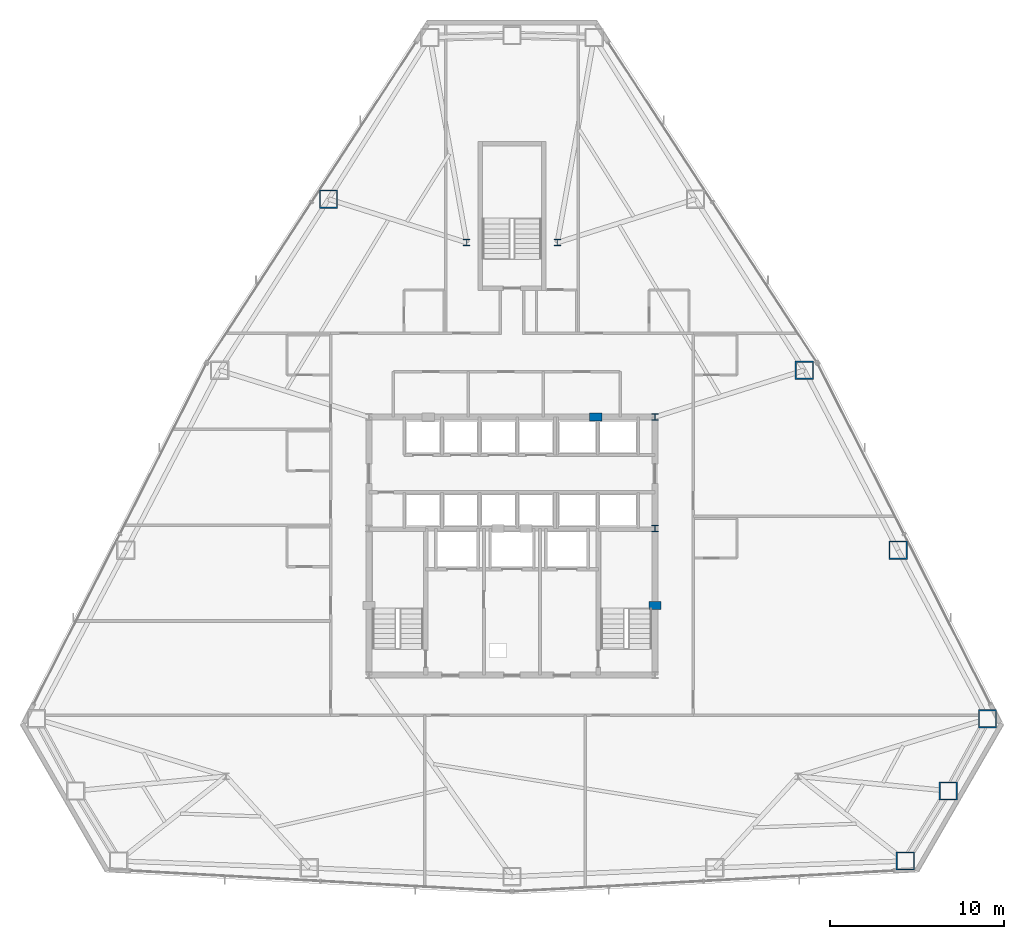
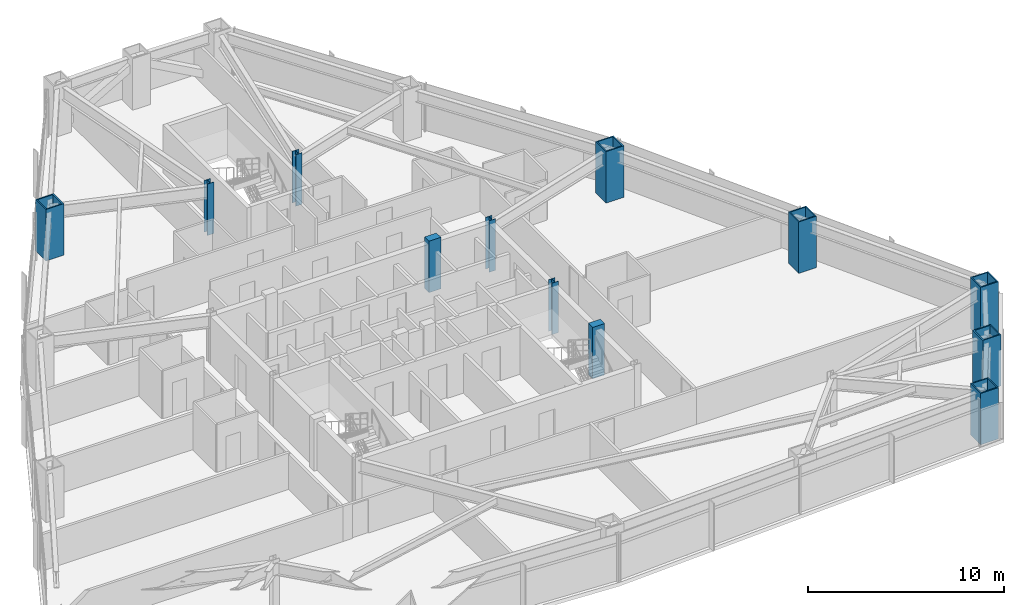
# One storey, part 2 of 12: 12 columns.
"""IFC4 building model written with IfcOpenShell, lengths in metres."""

from ifc_helpers import new_model, si_unit, direction, frame, origin, origin_2d, place, context, subcontext, project, spatial, rectangle, hollow_rectangle, i_section, extrude, material, material_profile, profile_set, type_object, element, save


model = new_model("IFC4")

# Units and contexts
model_context = context("Model", 3, precision=1e-05, world=origin(), true_north=direction((0.0, 1.0)))
body_context = subcontext(model_context, "Body", "Model", "MODEL_VIEW")
ifc_project = project(units=[si_unit("LENGTHUNIT", "METRE"), si_unit("AREAUNIT", "SQUARE_METRE"), si_unit("VOLUMEUNIT", "CUBIC_METRE"), si_unit("PLANEANGLEUNIT", "RADIAN"), si_unit("MASSUNIT", "GRAM", prefix="KILO")], contexts=[model_context])

# Site, building, storey
site_placement = place(None, origin())
site = spatial("IfcSite", under=ifc_project, at=site_placement, CompositionType="ELEMENT")
building_placement = place(site_placement, origin())
building = spatial("IfcBuilding", under=site, at=building_placement, Name="Varakhsha Concourse Tower", CompositionType="ELEMENT")
storey_placement = place(building_placement, frame((0.0, 0.0, 79.800048828125)))
storey = spatial("IfcBuildingStorey", under=building, at=storey_placement, Name="L22", CompositionType="ELEMENT", Elevation=79.800048828125)

# Columns
ifc_material_1 = material(Name="Structural Steel ASTM A992 Grade 50", Category="steel")
ifc_material_profile_1 = material_profile(ifc_material_1, i_section(OverallWidth=0.3740234375, OverallDepth=0.3720703125, WebThickness=0.01611328125, FlangeThickness=0.02587890625, at=origin_2d()), Name="W14X132")
ifc_profile_set_1 = profile_set([ifc_material_profile_1], Name="Structural Steel ASTM A992 Grade 50")
column_type_1 = type_object("IfcColumnType", Name="CL-CORE-W14X132", PredefinedType="COLUMN", material=ifc_profile_set_1)
for number, where, z_axis, x_axis, name in (
    (1, (48.199951171875, 24.800048828125, 0.0), (0.0, 0.0, 1.0), (1.0, 0.0, 0.0), "L22 Core Column CC-ME"),
    (2, (48.199951171875, 31.199951171875, 0.0), (0.0, 0.0, 1.0), (1.0, 0.0, 0.0), "L22 Core Column CC-NE"),
    (3, (37.39990234375, 41.199951171875, 0.0), (0.0, 0.0, 1.0), (1.0, 0.0, 0.0), "L22 Core Column NS-W"),
    (4, (42.60009765625, 41.199951171875, 0.0), (0.0, 0.0, 1.0), (1.0, 0.0, 0.0), "L22 Core Column NS-E"),
):
    element("IfcColumn", number, at=place(storey_placement, frame(where, z_axis=z_axis, x_axis=x_axis)), inside=storey, type_object=column_type_1, Name=name, PredefinedType="COLUMN", context=body_context, shape_type="SweptSolid", body=[
        extrude(i_section(OverallWidth=0.3740234375, OverallDepth=0.3720703125, WebThickness=0.01611328125, FlangeThickness=0.02587890625, at=origin_2d()), origin(), (0.0, 0.0, 1.0), 3.199951171875),
    ])
ifc_material_2 = material(Name="Concrete fc 65 MPa", Category="concrete")
ifc_material_profile_2 = material_profile(ifc_material_2, rectangle(XDim=0.699951171875, YDim=0.449951171875, at=origin_2d()), Name="RC 700x450")
ifc_profile_set_2 = profile_set([ifc_material_profile_2], Name="Concrete fc 65 MPa")
column_type_2 = type_object("IfcColumnType", Name="CL-PIL-700X450", PredefinedType="PILASTER", material=ifc_profile_set_2)
for number, where, z_axis, x_axis, name in (
    (5, (48.199951171875, 20.39990234375, 0.0), (0.0, 0.0, 1.0), (1.0, 0.0, 0.0), "L22 Core Boundary Pilaster PIL-E1"),
    (6, (44.800048828125, 31.199951171875, 0.0), (0.0, 0.0, 1.0), (1.0, 0.0, 0.0), "L22 Core Boundary Pilaster PIL-N2"),
):
    element("IfcColumn", number, at=place(storey_placement, frame(where, z_axis=z_axis, x_axis=x_axis)), inside=storey, type_object=column_type_2, Name=name, PredefinedType="PILASTER", context=body_context, shape_type="SweptSolid", body=[
        extrude(rectangle(XDim=0.699951171875, YDim=0.449951171875, at=origin_2d()), origin(), (0.0, 0.0, 1.0), 3.199951171875),
    ])
ifc_material_3 = material(Name="Structural Steel ASTM A572 Grade 50", Category="steel")
ifc_material_profile_3 = material_profile(ifc_material_3, hollow_rectangle(XDim=1.050048828125, YDim=1.050048828125, WallThickness=0.070068359375, at=origin_2d()), Name="BOX 1050x1050x70")
ifc_profile_set_3 = profile_set([ifc_material_profile_3], Name="Structural Steel ASTM A572 Grade 50")
column_type_3 = type_object("IfcColumnType", Name="CL-TUBE-1050", PredefinedType="COLUMN", material=ifc_profile_set_3)
for number, where, z_axis, x_axis, name in (
    (7, (29.481689453125, 43.6923828125, 0.0), (0.0, 0.0, 1.0), (1.0, 0.0, 0.0), "L22 Framed-Tube Column TC04"),
    (8, (62.55615234375, 5.740966796875, 0.0), (0.0, 0.0, 1.0), (1.0, 0.0, 0.0), "L22 Framed-Tube Column TC13"),
    (9, (65.012939453125, 9.7587890625, 0.0), (0.0, 0.0, 1.0), (1.0, 0.0, 0.0), "L22 Framed-Tube Column TC14"),
    (10, (67.26416015625, 13.8955078125, 0.0), (0.0, 0.0, 1.0), (1.0, 0.0, 0.0), "L22 Framed-Tube Column TC15"),
    (11, (62.14013671875, 23.562744140625, 0.0), (0.0, 0.0, 1.0), (1.0, 0.0, 0.0), "L22 Framed-Tube Column TC16"),
    (12, (56.762939453125, 33.878173828125, 0.0), (0.0, 0.0, 1.0), (1.0, 0.0, 0.0), "L22 Framed-Tube Column TC17"),
):
    element("IfcColumn", number, at=place(storey_placement, frame(where, z_axis=z_axis, x_axis=x_axis)), inside=storey, type_object=column_type_3, Name=name, PredefinedType="COLUMN", context=body_context, shape_type="SweptSolid", body=[
        extrude(hollow_rectangle(XDim=1.050048828125, YDim=1.050048828125, WallThickness=0.070068359375, at=origin_2d()), origin(), (0.0, 0.0, 1.0), 3.199951171875),
    ])

save(model, "model.ifc")
